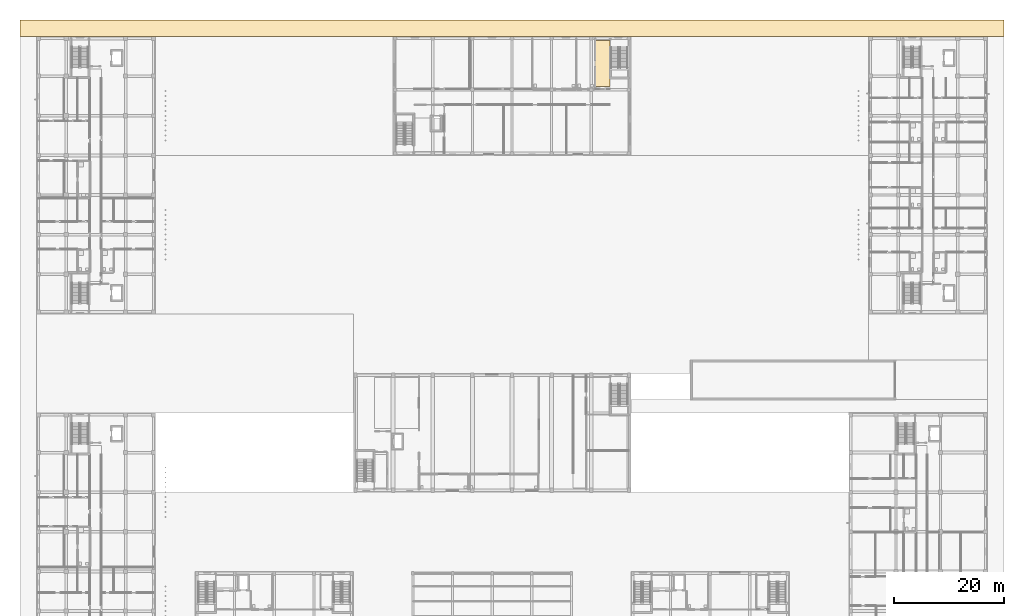
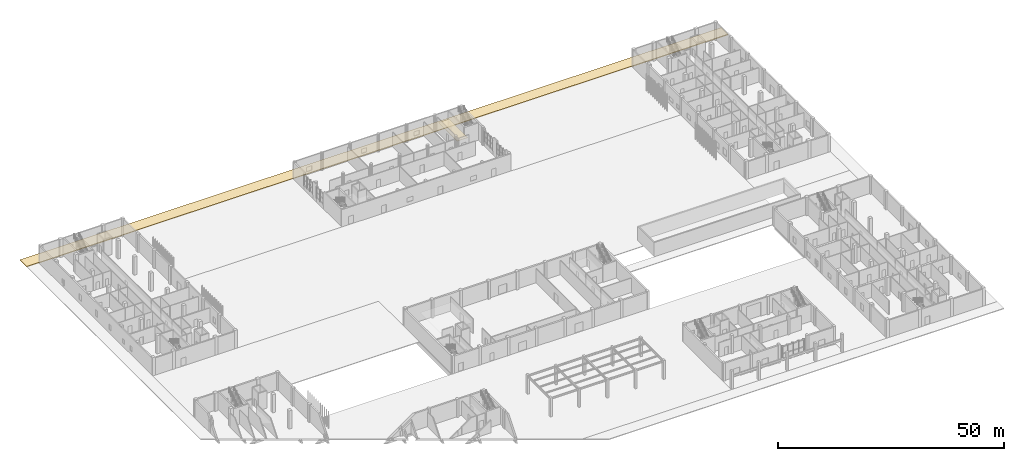
# One storey, part 73 of 85: 2 coverings.
"""IFC4 building model written with IfcOpenShell, lengths in metres."""

from ifc_helpers import new_model, si_unit, derived_unit, direction, frame, origin, place, context, subcontext, project, spatial, polyline, outline, extrude, material, layer, layer_set, type_object, element, save


model = new_model("IFC4")

# Units and contexts
model_context = context("Model", 3, precision=1e-05, world=origin(), true_north=direction((0.0, 1.0)))
body_context = subcontext(model_context, "Body", "Model", "MODEL_VIEW")
ifc_project = project(units=[si_unit("LENGTHUNIT", "METRE"), si_unit("AREAUNIT", "SQUARE_METRE"), si_unit("VOLUMEUNIT", "CUBIC_METRE"), si_unit("PLANEANGLEUNIT", "RADIAN"), si_unit("MASSUNIT", "GRAM", prefix="KILO"), derived_unit("THERMALTRANSMITTANCEUNIT", [(si_unit("MASSUNIT", "GRAM", prefix="KILO"), 1), (si_unit("TIMEUNIT", "SECOND"), -3), (si_unit("THERMODYNAMICTEMPERATUREUNIT", "KELVIN"), -1)])], contexts=[model_context])

# Site, building, storey
site_placement = place(None, origin())
site = spatial("IfcSite", under=ifc_project, at=site_placement, CompositionType="ELEMENT")
building_placement = place(site_placement, origin())
building = spatial("IfcBuilding", under=site, at=building_placement, Name="Ochrekiln Boulevard Commons", CompositionType="ELEMENT")
storey_placement = place(building_placement, origin())
storey = spatial("IfcBuildingStorey", under=building, at=storey_placement, Name="L00", CompositionType="ELEMENT", Elevation=0.0)

# Coverings
ifc_material_1 = material(Name="Mineral-fibre acoustic ceiling tile")
ifc_layer_1 = layer(ifc_material_1, 0.02490234375)
ifc_layer_set_1 = layer_set([ifc_layer_1], Name="Mineral-fibre acoustic ceiling tile")
covering_type_1 = type_object("IfcCoveringType", Name="COV-CEIL-AC", PredefinedType="CEILING", material=ifc_layer_set_1)
covering_1_placement = place(storey_placement, frame((0.0, 0.0, 2.64990234375)))
element("IfcCovering", 1, at=covering_1_placement, inside=storey, type_object=covering_type_1, Name="L00 Acoustic Corridor Ceiling 10", PredefinedType="CEILING", context=body_context, shape_type="SweptSolid", body=[
    extrude(outline(polyline([(101.52001953125, 109.75), (104.22998046875, 109.75), (104.22998046875, 118.080078125), (101.52001953125, 118.080078125), (101.52001953125, 109.75)])), origin(), (0.0, 0.0, 1.0), 0.025146484375),
])
ifc_material_2 = material(Name="Precast concrete C40/50", Category="concrete")
ifc_layer_2 = layer(ifc_material_2, 0.18994140625)
ifc_layer_set_2 = layer_set([ifc_layer_2], Name="Precast concrete C40/50")
covering_type_2 = type_object("IfcCoveringType", Name="COV-PAV-190", PredefinedType="FLOORING", material=ifc_layer_set_2)
covering_2_placement = place(storey_placement, frame((0.0, 0.0, -0.18994140625)))
element("IfcCovering", 2, at=covering_2_placement, inside=storey, type_object=covering_type_2, Name="North Garden Street Sidewalk Paving Slab", PredefinedType="FLOORING", context=body_context, shape_type="SweptSolid", body=[
    extrude(outline(polyline([(-3.0, 118.800048828125), (175.800048828125, 118.800048828125), (175.800048828125, 121.800048828125), (-3.0, 121.800048828125), (-3.0, 118.800048828125)])), origin(), (0.0, 0.0, 1.0), 0.18994140625),
])

save(model, "model.ifc")
